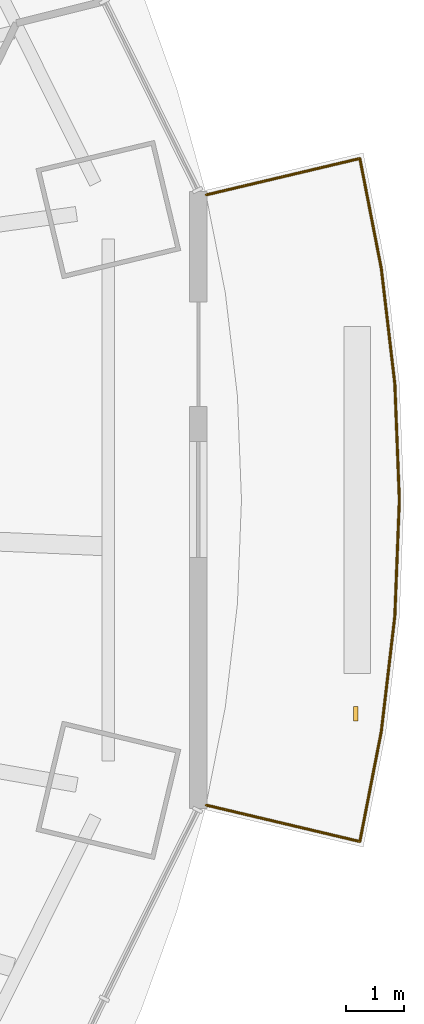
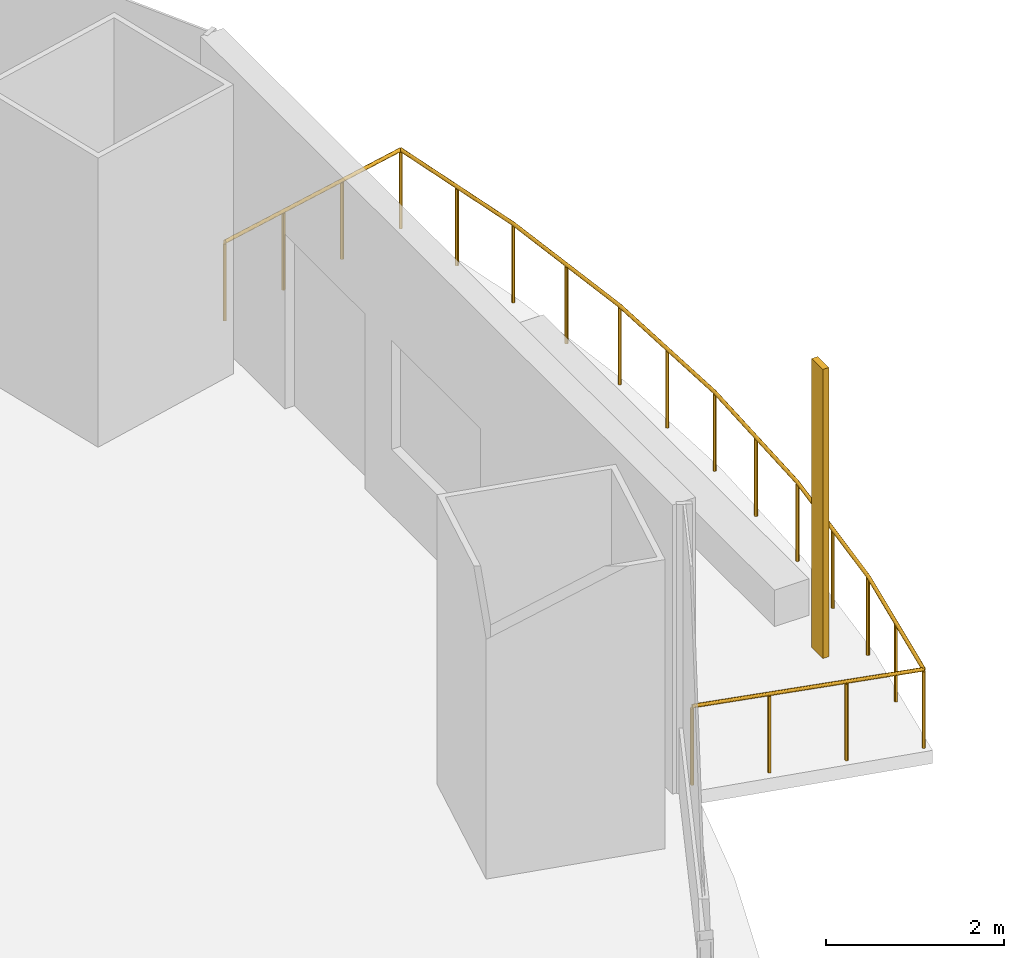
# One storey, part 19 of 20: 1 railing, 1 shading device.
"""IFC4 building model written with IfcOpenShell, lengths in metres."""

from ifc_helpers import new_model, si_unit, direction, frame, origin, origin_2d, place, context, subcontext, project, spatial, rectangle, circle, extrude, material, material_profile, profile_set, type_object, element, save


model = new_model("IFC4")

# Units and contexts
model_context = context("Model", 3, precision=1e-05, world=origin(), true_north=direction((0.0, 1.0)))
body_context = subcontext(model_context, "Body", "Model", "MODEL_VIEW")
ifc_project = project(units=[si_unit("LENGTHUNIT", "METRE"), si_unit("AREAUNIT", "SQUARE_METRE"), si_unit("VOLUMEUNIT", "CUBIC_METRE"), si_unit("PLANEANGLEUNIT", "RADIAN"), si_unit("MASSUNIT", "GRAM", prefix="KILO")], contexts=[model_context])

# Site, building, storey
site_placement = place(None, origin())
site = spatial("IfcSite", under=ifc_project, at=site_placement, CompositionType="ELEMENT")
building_placement = place(site_placement, origin())
building = spatial("IfcBuilding", under=site, at=building_placement, Name="Marenthal Gate Tower", CompositionType="ELEMENT")
storey_placement = place(building_placement, frame((0.0, 0.0, 177.64990234375)))
storey = spatial("IfcBuildingStorey", under=building, at=storey_placement, Name="L38", CompositionType="ELEMENT", Elevation=177.64990234375)

# Railing
ifc_material_1 = material(Name="Stainless steel", Category="steel")
railing_type = type_object("IfcRailingType", Name="Balcony guard 1100", PredefinedType="GUARDRAIL", material=ifc_material_1)
railing_placement = place(storey_placement, frame((33.76953125, 4.656982421875, 0.0)))
element("IfcRailing", 1, at=railing_placement, inside=storey, type_object=railing_type, Name="Balcony guard L38 bay 16", PredefinedType="GUARDRAIL", context=body_context, shape_type="SweptSolid", body=[
    extrude(circle(Radius=0.02392578125, at=origin_2d()), frame((0.0, 0.0, 1.076171875), z_axis=(0.97298833442, 0.230390282673, -0.014629379071), x_axis=(-0.230414940549, 0.973092470001, 0.0)), (0.0, 0.0, 1.0), 2.72021484375),
    extrude(circle(Radius=0.02392578125, at=origin_2d()), frame((2.646728515625, 0.626708984375, 1.0361328125), z_axis=(0.191367617188, -0.981518433394, 0.0), x_axis=(0.981518433394, 0.191367617188, 0.0)), (0.0, 0.0, 1.0), 1.928955078125),
    extrude(circle(Radius=0.02392578125, at=origin_2d()), frame((3.015869140625, -1.2666015625, 1.0361328125), z_axis=(0.116593836363, -0.993179680281, 0.0), x_axis=(0.993179680281, 0.116593836363, 0.0)), (0.0, 0.0, 1.0), 2.00390625),
    extrude(circle(Radius=0.02392578125, at=origin_2d()), frame((3.24951171875, -3.2568359375, 1.0361328125), z_axis=(0.038906197322, -0.99924286728, 0.0), x_axis=(0.99924286728, 0.038906197322, 0.0)), (0.0, 0.0, 1.0), 2.001708984375),
    extrude(circle(Radius=0.02392578125, at=origin_2d()), frame((3.327392578125, -5.257080078125, 1.0361328125), z_axis=(-0.038910939424, -0.999242682632, 0.0), x_axis=(0.999242682632, -0.038910939424, 0.0)), (0.0, 0.0, 1.0), 2.00146484375),
    extrude(circle(Radius=0.02392578125, at=origin_2d()), frame((3.24951171875, -7.257080078125, 1.0361328125), z_axis=(-0.116593836363, -0.993179680281, 0.0), x_axis=(0.993179680281, -0.116593836363, 0.0)), (0.0, 0.0, 1.0), 2.00390625),
    extrude(circle(Radius=0.02392578125, at=origin_2d()), frame((3.015869140625, -9.247314453125, 1.0361328125), z_axis=(-0.191367617188, -0.981518433394, 0.0), x_axis=(0.981518433394, -0.191367617188, 0.0)), (0.0, 0.0, 1.0), 1.928955078125),
    extrude(circle(Radius=0.02392578125, at=origin_2d()), frame((2.646728515625, -11.140625, 1.0361328125), z_axis=(-0.97298833442, 0.230390282673, 0.014629379071), x_axis=(-0.230414940549, -0.973092470001, 0.0)), (0.0, 0.0, 1.0), 2.72021484375),
    extrude(circle(Radius=0.02099609375, at=origin_2d()), origin(), (0.0, 0.0, 1.0), 1.052001953125),
    extrude(circle(Radius=0.02099609375, at=origin_2d()), frame((0.88232421875, 0.208984375, -0.01318359375)), (0.0, 0.0, 1.0), 1.052001953125),
    extrude(circle(Radius=0.02099609375, at=origin_2d()), frame((1.764404296875, 0.417724609375, -0.026611328125)), (0.0, 0.0, 1.0), 1.052001953125),
    extrude(circle(Radius=0.02099609375, at=origin_2d()), frame((2.646728515625, 0.626708984375, -0.039794921875)), (0.0, 0.0, 1.0), 1.052001953125),
    extrude(circle(Radius=0.02099609375, at=origin_2d()), frame((2.831298828125, -0.31982421875, -0.039794921875)), (0.0, 0.0, 1.0), 1.052001953125),
    extrude(circle(Radius=0.02099609375, at=origin_2d()), frame((3.015869140625, -1.2666015625, -0.039794921875)), (0.0, 0.0, 1.0), 1.052001953125),
    extrude(circle(Radius=0.02099609375, at=origin_2d()), frame((3.1328125, -2.26171875, -0.039794921875)), (0.0, 0.0, 1.0), 1.052001953125),
    extrude(circle(Radius=0.02099609375, at=origin_2d()), frame((3.24951171875, -3.2568359375, -0.039794921875)), (0.0, 0.0, 1.0), 1.052001953125),
    extrude(circle(Radius=0.02099609375, at=origin_2d()), frame((3.28857421875, -4.2568359375, -0.039794921875)), (0.0, 0.0, 1.0), 1.052001953125),
    extrude(circle(Radius=0.02099609375, at=origin_2d()), frame((3.327392578125, -5.257080078125, -0.039794921875)), (0.0, 0.0, 1.0), 1.052001953125),
    extrude(circle(Radius=0.02099609375, at=origin_2d()), frame((3.28857421875, -6.257080078125, -0.039794921875)), (0.0, 0.0, 1.0), 1.052001953125),
    extrude(circle(Radius=0.02099609375, at=origin_2d()), frame((3.24951171875, -7.257080078125, -0.039794921875)), (0.0, 0.0, 1.0), 1.052001953125),
    extrude(circle(Radius=0.02099609375, at=origin_2d()), frame((3.1328125, -8.252197265625, -0.039794921875)), (0.0, 0.0, 1.0), 1.052001953125),
    extrude(circle(Radius=0.02099609375, at=origin_2d()), frame((3.015869140625, -9.247314453125, -0.039794921875)), (0.0, 0.0, 1.0), 1.052001953125),
    extrude(circle(Radius=0.02099609375, at=origin_2d()), frame((2.831298828125, -10.19384765625, -0.039794921875)), (0.0, 0.0, 1.0), 1.052001953125),
    extrude(circle(Radius=0.02099609375, at=origin_2d()), frame((2.646728515625, -11.140625, -0.039794921875)), (0.0, 0.0, 1.0), 1.052001953125),
    extrude(circle(Radius=0.02099609375, at=origin_2d()), frame((1.764404296875, -10.931640625, -0.026611328125)), (0.0, 0.0, 1.0), 1.052001953125),
    extrude(circle(Radius=0.02099609375, at=origin_2d()), frame((0.88232421875, -10.722900390625, -0.01318359375)), (0.0, 0.0, 1.0), 1.052001953125),
    extrude(circle(Radius=0.02099609375, at=origin_2d()), frame((0.0, -10.513916015625, 0.0)), (0.0, 0.0, 1.0), 1.052001953125),
])

# Shading device
ifc_material_2 = material(Name="Terracotta", Category="masonry")
ifc_material_profile = material_profile(ifc_material_2, rectangle(XDim=0.25, YDim=0.080078125, at=origin_2d()), Name="Terracotta baguette 250x80")
ifc_profile_set = profile_set([ifc_material_profile], Name="Terracotta")
shading_device_type = type_object("IfcShadingDeviceType", Name="Terracotta BAGUETTE SCREEN 250x80", PredefinedType="USERDEFINED", material=ifc_profile_set)
shading_device_placement = place(storey_placement, frame((36.344970703125, -4.280517578125, -0.039794921875), z_axis=(0.0, 0.0, 1.0), x_axis=(0.0, 1.0, 0.0)))
element("IfcShadingDevice", 2, at=shading_device_placement, inside=storey, type_object=shading_device_type, Name="Terracotta BAGUETTE L38 bay 16L", ObjectType="BAGUETTE SCREEN", PredefinedType="USERDEFINED", context=body_context, shape_type="SweptSolid", body=[
    extrude(rectangle(XDim=0.25, YDim=0.080078125, at=origin_2d()), origin(), (0.0, 0.0, 1.0), 3.969970703125),
])

save(model, "model.ifc")
